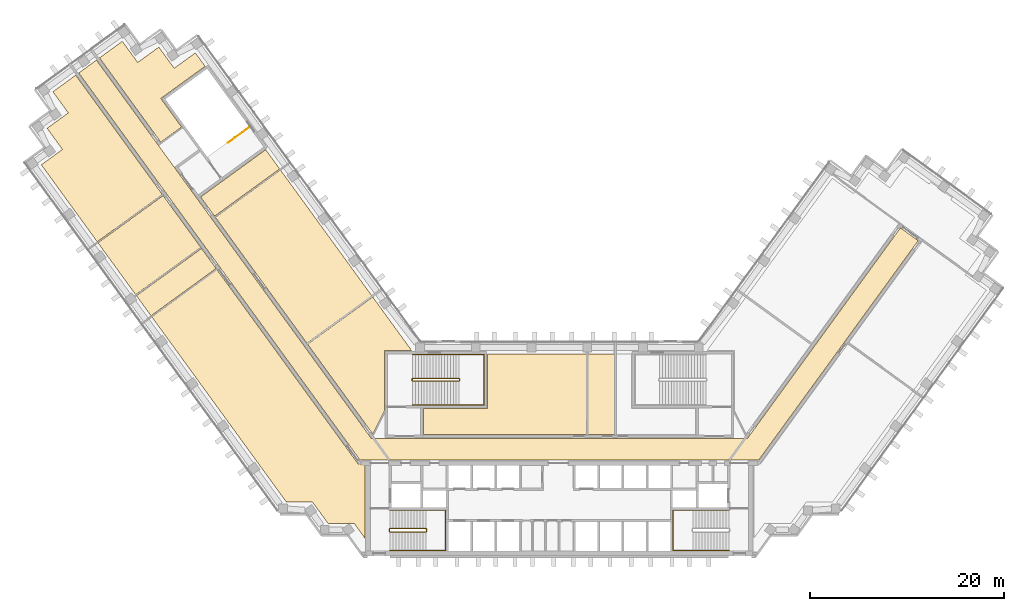
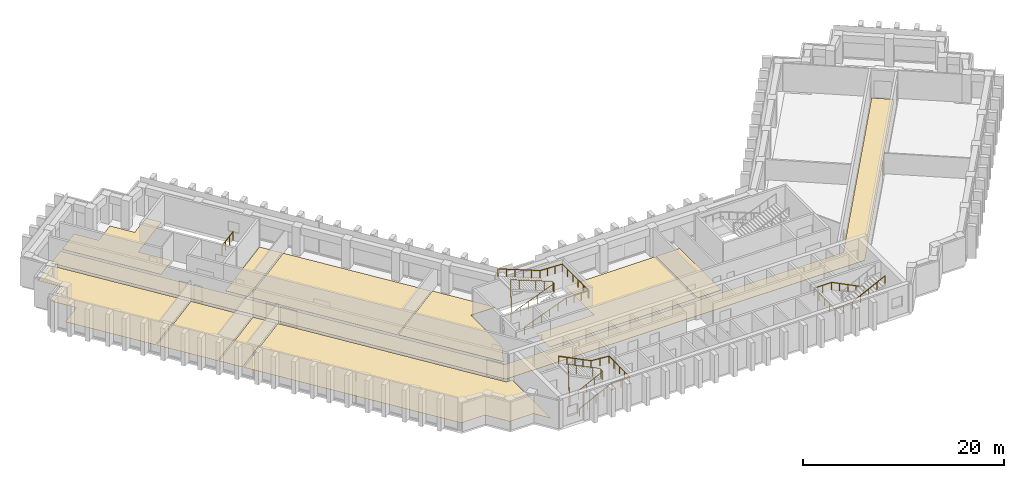
# One storey, part 10 of 11: 11 coverings, 6 railings.
"""IFC4 building model written with IfcOpenShell, lengths in metres."""

from ifc_helpers import new_model, si_unit, direction, frame, origin, origin_2d, place, context, subcontext, project, spatial, polyline, circle, outline, extrude, material, layer, layer_set, type_object, element, save


model = new_model("IFC4")

# Units and contexts
model_context = context("Model", 3, precision=1e-05, world=origin(), true_north=direction((0.0, 1.0)))
body_context = subcontext(model_context, "Body", "Model", "MODEL_VIEW")
ifc_project = project(units=[si_unit("LENGTHUNIT", "METRE"), si_unit("AREAUNIT", "SQUARE_METRE"), si_unit("VOLUMEUNIT", "CUBIC_METRE"), si_unit("PLANEANGLEUNIT", "RADIAN"), si_unit("MASSUNIT", "GRAM", prefix="KILO")], contexts=[model_context])

# Site, building, storey
site_placement = place(None, origin())
site = spatial("IfcSite", under=ifc_project, at=site_placement, CompositionType="ELEMENT")
building_placement = place(site_placement, origin())
building = spatial("IfcBuilding", under=site, at=building_placement, Name="Quipu Civic Tower", CompositionType="ELEMENT")
storey_placement = place(building_placement, frame((0.0, 0.0, 129.0)))
storey = spatial("IfcBuildingStorey", under=building, at=storey_placement, Name="L30", CompositionType="ELEMENT", Elevation=129.0)

# Coverings
ifc_material_1 = material(Name="Carpet tile on raised access floor")
ifc_layer_1 = layer(ifc_material_1, 0.02001953125)
ifc_layer_set_1 = layer_set([ifc_layer_1], Name="Carpet tile on raised access floor")
covering_type_1 = type_object("IfcCoveringType", Name="Carpet tile floor finish 20", PredefinedType="FLOORING", material=ifc_layer_set_1)
covering_1_placement = place(storey_placement, origin())
element("IfcCovering", 1, at=covering_1_placement, inside=storey, type_object=covering_type_1, Name="Carpet tile floor finish 20", PredefinedType="FLOORING", context=body_context, shape_type="SweptSolid", body=[
    extrude(outline(polyline([(-47.471923828125, 40.39794921875), (-45.116943359375, 42.10791015625), (-43.531982421875, 39.925048828125), (-41.346923828125, 41.510986328125), (-39.760009765625, 39.326904296875), (-37.574951171875, 40.9130859375), (-36.570068359375, 39.530029296875), (-41.139892578125, 36.208984375), (-38.998046875, 33.260009765625), (-41.15087890625, 31.697021484375), (-47.471923828125, 40.39794921875)])), origin(), (0.0, 0.0, 1.0), 0.02001953125),
])
covering_2_placement = place(storey_placement, origin())
element("IfcCovering", 2, at=covering_2_placement, inside=storey, type_object=covering_type_1, Name="Carpet tile floor finish 20", PredefinedType="FLOORING", context=body_context, shape_type="SweptSolid", body=[
    extrude(outline(polyline([(-53.47998046875, 29.35791015625), (-51.297119140625, 30.945068359375), (-52.883056640625, 33.12890625), (-50.698974609375, 34.717041015625), (-52.284912109375, 36.90087890625), (-49.930908203125, 38.611083984375), (-40.988037109375, 26.301025390625), (-47.7119140625, 21.41796875), (-53.47998046875, 29.35791015625)])), origin(), (0.0, 0.0, 1.0), 0.02001953125),
])
covering_3_placement = place(storey_placement, origin())
element("IfcCovering", 3, at=covering_3_placement, inside=storey, type_object=covering_type_1, Name="Carpet tile floor finish 20", PredefinedType="FLOORING", context=body_context, shape_type="SweptSolid", body=[
    extrude(outline(polyline([(-14.030029296875, 1.52001953125), (-14.030029296875, 4.179931640625), (-7.429931640625, 4.180908203125), (-7.429931640625, 9.830078125), (2.80908203125, 9.830078125), (2.80908203125, 1.52001953125), (-14.030029296875, 1.52001953125)])), origin(), (0.0, 0.0, 1.0), 0.02001953125),
])
covering_4_placement = place(storey_placement, origin())
element("IfcCovering", 4, at=covering_4_placement, inside=storey, type_object=covering_type_1, Name="Carpet tile floor finish 20", PredefinedType="FLOORING", context=body_context, shape_type="SweptSolid", body=[
    extrude(outline(polyline([(-47.62890625, 21.304931640625), (-40.905029296875, 26.18798828125), (-37.02099609375, 20.841064453125), (-43.743896484375, 15.95703125), (-47.62890625, 21.304931640625)])), origin(), (0.0, 0.0, 1.0), 0.02001953125),
])
covering_5_placement = place(storey_placement, origin())
element("IfcCovering", 5, at=covering_5_placement, inside=storey, type_object=covering_type_1, Name="Carpet tile floor finish 20", PredefinedType="FLOORING", context=body_context, shape_type="SweptSolid", body=[
    extrude(outline(polyline([(-35.512939453125, 23.93896484375), (-28.7900390625, 28.822021484375), (-19.35107421875, 15.8291015625), (-26.073974609375, 10.946044921875), (-35.512939453125, 23.93896484375)])), origin(), (0.0, 0.0, 1.0), 0.02001953125),
])
covering_6_placement = place(storey_placement, origin())
element("IfcCovering", 6, at=covering_6_placement, inside=storey, type_object=covering_type_1, Name="Carpet tile floor finish 20", PredefinedType="FLOORING", context=body_context, shape_type="SweptSolid", body=[
    extrude(outline(polyline([(-42.073974609375, 13.658935546875), (-35.35107421875, 18.54296875), (-20.77490234375, -1.51904296875), (-20.070068359375, -1.52001953125), (-20.070068359375, -9.195068359375), (-21.196044921875, -7.64599609375), (-21.6630859375, -7.64599609375), (-21.666015625, -7.64404296875), (-21.669921875, -7.64111328125), (-21.675048828125, -7.639892578125), (-21.679931640625, -7.637939453125), (-21.68408203125, -7.636962890625), (-21.68896484375, -7.636962890625), (-21.694091796875, -7.635986328125), (-21.698974609375, -7.636962890625), (-21.7041015625, -7.637939453125), (-21.708984375, -7.638916015625), (-21.712890625, -7.64111328125), (-21.718017578125, -7.64306640625), (-21.721923828125, -7.64599609375), (-21.721923828125, -7.64599609375), (-23.89501953125, -7.64599609375), (-25.48193359375, -5.4619140625), (-28.181884765625, -5.4609375), (-42.073974609375, 13.658935546875)])), origin(), (0.0, 0.0, 1.0), 0.02001953125),
])
ifc_material_2 = material(Name="Ceramic floor tile")
ifc_layer_2 = layer(ifc_material_2, 0.030029296875)
ifc_layer_set_2 = layer_set([ifc_layer_2], Name="Ceramic floor tile")
covering_type_2 = type_object("IfcCoveringType", Name="Ceramic tile floor finish 30", PredefinedType="FLOORING", material=ifc_layer_set_2)
covering_7_placement = place(storey_placement, origin())
element("IfcCovering", 7, at=covering_7_placement, inside=storey, type_object=covering_type_2, Name="Ceramic tile floor finish 30", PredefinedType="FLOORING", context=body_context, shape_type="SweptSolid", body=[
    extrude(outline(polyline([(-37.0380859375, 26.0380859375), (-30.31494140625, 30.922119140625), (-28.873046875, 28.93505859375), (-35.595947265625, 24.052001953125), (-37.0380859375, 26.0380859375)])), origin(), (0.0, 0.0, 1.0), 0.030029296875),
])
covering_8_placement = place(storey_placement, origin())
element("IfcCovering", 8, at=covering_8_placement, inside=storey, type_object=covering_type_2, Name="Ceramic tile floor finish 30", PredefinedType="FLOORING", context=body_context, shape_type="SweptSolid", body=[
    extrude(outline(polyline([(-43.660888671875, 15.843994140625), (-36.93798828125, 20.72802734375), (-35.43408203125, 18.656005859375), (-42.156982421875, 13.77197265625), (-43.660888671875, 15.843994140625)])), origin(), (0.0, 0.0, 1.0), 0.030029296875),
])
ifc_material_3 = material(Name="Sealed cement screed")
ifc_layer_3 = layer(ifc_material_3, 0.050048828125)
ifc_layer_set_3 = layer_set([ifc_layer_3], Name="Sealed cement screed")
covering_type_3 = type_object("IfcCoveringType", Name="Sealed screed floor finish 50", PredefinedType="FLOORING", material=ifc_layer_set_3)
covering_9_placement = place(storey_placement, origin())
element("IfcCovering", 9, at=covering_9_placement, inside=storey, type_object=covering_type_3, Name="Sealed screed floor finish 50", PredefinedType="FLOORING", context=body_context, shape_type="SweptSolid", body=[
    extrude(outline(polyline([(2.948974609375, 1.52001953125), (2.948974609375, 9.830078125), (5.68798828125, 9.830078125), (5.68798828125, 1.52001953125), (2.948974609375, 1.52001953125)])), origin(), (0.0, 0.0, 1.0), 0.050048828125),
])
covering_10_placement = place(storey_placement, origin())
element("IfcCovering", 10, at=covering_10_placement, inside=storey, type_object=covering_type_3, Name="Sealed screed floor finish 50", PredefinedType="FLOORING", context=body_context, shape_type="SweptSolid", body=[
    extrude(outline(polyline([(-25.990966796875, 10.8330078125), (-19.26806640625, 15.716064453125), (-15.238037109375, 10.169921875), (-18.070068359375, 10.1689453125), (-18.070068359375, 3.94189453125), (-19.27197265625, 1.583984375), (-25.990966796875, 10.8330078125)])), origin(), (0.0, 0.0, 1.0), 0.050048828125),
])

# Railings
ifc_material_4 = material(Name="Stainless steel", Category="steel")
railing_type_1 = type_object("IfcRailingType", Name="Stair guard 1100", PredefinedType="GUARDRAIL", material=ifc_material_4)
railing_1_placement = place(storey_placement, frame((-17.5, -8.550048828125, 0.15380859375)))
element("IfcRailing", 11, at=railing_1_placement, inside=storey, type_object=railing_type_1, Name="Stair 1 guard", PredefinedType="GUARDRAIL", context=body_context, shape_type="SweptSolid", body=[
    extrude(circle(Radius=0.02392578125, at=origin_2d()), frame((0.0, 0.0, 1.076171875), z_axis=(0.895751851347, 0.0, 0.444554407028), x_axis=(0.0, 1.0, 0.0)), (0.0, 0.0, 1.0), 4.15283203125),
    extrude(circle(Radius=0.02392578125, at=origin_2d()), frame((3.719970703125, 0.0, 2.92236328125), z_axis=(0.707106781187, 0.707106781187, 0.0), x_axis=(-0.707106781187, 0.707106781187, 0.0)), (0.0, 0.0, 1.0), 0.07080078125),
    extrude(circle(Radius=0.02392578125, at=origin_2d()), frame((3.77001953125, 0.050048828125, 2.92236328125), z_axis=(0.0, 1.0, 0.0), x_axis=(-1.0, 0.0, 0.0)), (0.0, 0.0, 1.0), 0.25),
    extrude(circle(Radius=0.02392578125, at=origin_2d()), frame((3.77001953125, 0.300048828125, 2.92236328125), z_axis=(-0.295599637079, 0.295599637079, 0.908428152975), x_axis=(-0.707106781187, -0.707106781187, 0.0)), (0.0, 0.0, 1.0), 0.16943359375),
    extrude(circle(Radius=0.02392578125, at=origin_2d()), frame((3.719970703125, 0.35009765625, 3.076171875), z_axis=(-0.895751851347, 0.0, 0.444554407028), x_axis=(0.0, -1.0, 0.0)), (0.0, 0.0, 1.0), 4.15283203125),
    extrude(circle(Radius=0.02392578125, at=origin_2d()), frame((0.0, 0.35009765625, 4.92236328125), z_axis=(-0.012476181752, -0.074796231092, -0.997120789425), x_axis=(0.986372223864, -0.164529134168, 0.0)), (0.0, 0.0, 1.0), 4.011474609375),
    extrude(circle(Radius=0.02392578125, at=origin_2d()), frame((-0.050048828125, 0.050048828125, 0.92236328125), z_axis=(0.0, 1.0, 0.0), x_axis=(-1.0, 0.0, 0.0)), (0.0, 0.0, 1.0), 0.25),
    extrude(circle(Radius=0.02099609375, at=origin_2d()), origin(), (0.0, 0.0, 1.0), 1.052001953125),
    extrude(circle(Radius=0.02099609375, at=origin_2d()), frame((0.929931640625, 0.0, 0.46142578125)), (0.0, 0.0, 1.0), 1.052001953125),
    extrude(circle(Radius=0.02099609375, at=origin_2d()), frame((1.85986328125, 0.0, 0.923095703125)), (0.0, 0.0, 1.0), 1.052001953125),
    extrude(circle(Radius=0.02099609375, at=origin_2d()), frame((2.7900390625, 0.0, 1.384765625)), (0.0, 0.0, 1.0), 1.052001953125),
    extrude(circle(Radius=0.02099609375, at=origin_2d()), frame((3.719970703125, 0.0, 1.84619140625)), (0.0, 0.0, 1.0), 1.052001953125),
    extrude(circle(Radius=0.02099609375, at=origin_2d()), frame((3.77001953125, 0.050048828125, 1.84619140625)), (0.0, 0.0, 1.0), 1.052001953125),
    extrude(circle(Radius=0.02099609375, at=origin_2d()), frame((3.77001953125, 0.300048828125, 1.84619140625)), (0.0, 0.0, 1.0), 1.052001953125),
    extrude(circle(Radius=0.02099609375, at=origin_2d()), frame((3.719970703125, 0.35009765625, 2.0)), (0.0, 0.0, 1.0), 1.052001953125),
    extrude(circle(Radius=0.02099609375, at=origin_2d()), frame((2.7900390625, 0.35009765625, 2.46142578125)), (0.0, 0.0, 1.0), 1.052001953125),
    extrude(circle(Radius=0.02099609375, at=origin_2d()), frame((1.85986328125, 0.35009765625, 2.923095703125)), (0.0, 0.0, 1.0), 1.052001953125),
    extrude(circle(Radius=0.02099609375, at=origin_2d()), frame((0.929931640625, 0.35009765625, 3.384765625)), (0.0, 0.0, 1.0), 1.052001953125),
    extrude(circle(Radius=0.02099609375, at=origin_2d()), frame((0.0, 0.35009765625, 3.84619140625)), (0.0, 0.0, 1.0), 1.052001953125),
    extrude(circle(Radius=0.02099609375, at=origin_2d()), frame((-0.012451171875, 0.275146484375, 2.84619140625)), (0.0, 0.0, 1.0), 1.052001953125),
    extrude(circle(Radius=0.02099609375, at=origin_2d()), frame((-0.02490234375, 0.2001953125, 1.84619140625)), (0.0, 0.0, 1.0), 1.052001953125),
    extrude(circle(Radius=0.02099609375, at=origin_2d()), frame((-0.03759765625, 0.125, 0.84619140625)), (0.0, 0.0, 1.0), 1.052001953125),
    extrude(circle(Radius=0.02099609375, at=origin_2d()), frame((-0.050048828125, 0.050048828125, -0.15380859375)), (0.0, 0.0, 1.0), 1.052001953125),
    extrude(circle(Radius=0.02099609375, at=origin_2d()), frame((-0.050048828125, 0.300048828125, -0.15380859375)), (0.0, 0.0, 1.0), 1.052001953125),
])
railing_2_placement = place(storey_placement, frame((-15.14990234375, 7.050048828125, 0.11767578125)))
element("IfcRailing", 12, at=railing_2_placement, inside=storey, type_object=railing_type_1, Name="Stair 3 guard", PredefinedType="GUARDRAIL", context=body_context, shape_type="SweptSolid", body=[
    extrude(circle(Radius=0.02392578125, at=origin_2d()), frame((0.0, 0.0, 1.076171875), z_axis=(0.930970042603, 0.0, 0.365095576219), x_axis=(0.0, 1.0, 0.0)), (0.0, 0.0, 1.0), 5.15576171875),
    extrude(circle(Radius=0.02392578125, at=origin_2d()), frame((4.7998046875, 0.0, 2.95849609375), z_axis=(0.707106781187, 0.707106781187, 0.0), x_axis=(-0.707106781187, 0.707106781187, 0.0)), (0.0, 0.0, 1.0), 0.07080078125),
    extrude(circle(Radius=0.02392578125, at=origin_2d()), frame((4.849853515625, 0.050048828125, 2.95849609375), z_axis=(0.0, 1.0, 0.0), x_axis=(-1.0, 0.0, 0.0)), (0.0, 0.0, 1.0), 0.14990234375),
    extrude(circle(Radius=0.02392578125, at=origin_2d()), frame((4.849853515625, 0.199951171875, 2.95849609375), z_axis=(-0.364463019033, 0.364463019033, 0.856932561824), x_axis=(-0.707106781187, -0.707106781187, 0.0)), (0.0, 0.0, 1.0), 0.13720703125),
    extrude(circle(Radius=0.02392578125, at=origin_2d()), frame((4.7998046875, 0.25, 3.076171875), z_axis=(-0.930970042603, 0.0, 0.365095576219), x_axis=(0.0, -1.0, 0.0)), (0.0, 0.0, 1.0), 5.15576171875),
    extrude(circle(Radius=0.02392578125, at=origin_2d()), frame((0.0, 0.25, 4.95849609375), z_axis=(-0.012495627992, -0.049921557685, -0.998674970829), x_axis=(0.970072785993, -0.242814311512, 0.0)), (0.0, 0.0, 1.0), 4.00537109375),
    extrude(circle(Radius=0.02392578125, at=origin_2d()), frame((-0.050048828125, 0.050048828125, 0.95849609375), z_axis=(0.0, 1.0, 0.0), x_axis=(-1.0, 0.0, 0.0)), (0.0, 0.0, 1.0), 0.14990234375),
    extrude(circle(Radius=0.02099609375, at=origin_2d()), origin(), (0.0, 0.0, 1.0), 1.052001953125),
    extrude(circle(Radius=0.02099609375, at=origin_2d()), frame((0.9599609375, 0.0, 0.37646484375)), (0.0, 0.0, 1.0), 1.052001953125),
    extrude(circle(Radius=0.02099609375, at=origin_2d()), frame((1.919921875, 0.0, 0.7529296875)), (0.0, 0.0, 1.0), 1.052001953125),
    extrude(circle(Radius=0.02099609375, at=origin_2d()), frame((2.8798828125, 0.0, 1.12939453125)), (0.0, 0.0, 1.0), 1.052001953125),
    extrude(circle(Radius=0.02099609375, at=origin_2d()), frame((3.83984375, 0.0, 1.505859375)), (0.0, 0.0, 1.0), 1.052001953125),
    extrude(circle(Radius=0.02099609375, at=origin_2d()), frame((4.7998046875, 0.0, 1.88232421875)), (0.0, 0.0, 1.0), 1.052001953125),
    extrude(circle(Radius=0.02099609375, at=origin_2d()), frame((4.849853515625, 0.050048828125, 1.88232421875)), (0.0, 0.0, 1.0), 1.052001953125),
    extrude(circle(Radius=0.02099609375, at=origin_2d()), frame((4.849853515625, 0.199951171875, 1.88232421875)), (0.0, 0.0, 1.0), 1.052001953125),
    extrude(circle(Radius=0.02099609375, at=origin_2d()), frame((4.7998046875, 0.25, 2.0)), (0.0, 0.0, 1.0), 1.052001953125),
    extrude(circle(Radius=0.02099609375, at=origin_2d()), frame((3.83984375, 0.25, 2.37646484375)), (0.0, 0.0, 1.0), 1.052001953125),
    extrude(circle(Radius=0.02099609375, at=origin_2d()), frame((2.8798828125, 0.25, 2.7529296875)), (0.0, 0.0, 1.0), 1.052001953125),
    extrude(circle(Radius=0.02099609375, at=origin_2d()), frame((1.919921875, 0.25, 3.12939453125)), (0.0, 0.0, 1.0), 1.052001953125),
    extrude(circle(Radius=0.02099609375, at=origin_2d()), frame((0.9599609375, 0.25, 3.505859375)), (0.0, 0.0, 1.0), 1.052001953125),
    extrude(circle(Radius=0.02099609375, at=origin_2d()), frame((0.0, 0.25, 3.88232421875)), (0.0, 0.0, 1.0), 1.052001953125),
    extrude(circle(Radius=0.02099609375, at=origin_2d()), frame((-0.012451171875, 0.199951171875, 2.88232421875)), (0.0, 0.0, 1.0), 1.052001953125),
    extrude(circle(Radius=0.02099609375, at=origin_2d()), frame((-0.02490234375, 0.14990234375, 1.88232421875)), (0.0, 0.0, 1.0), 1.052001953125),
    extrude(circle(Radius=0.02099609375, at=origin_2d()), frame((-0.03759765625, 0.10009765625, 0.88232421875)), (0.0, 0.0, 1.0), 1.052001953125),
    extrude(circle(Radius=0.02099609375, at=origin_2d()), frame((-0.050048828125, 0.050048828125, -0.11767578125)), (0.0, 0.0, 1.0), 1.052001953125),
    extrude(circle(Radius=0.02099609375, at=origin_2d()), frame((-0.050048828125, 0.199951171875, -0.11767578125)), (0.0, 0.0, 1.0), 1.052001953125),
])
railing_3_placement = place(storey_placement, frame((-31.986572265625, 33.255859375, 0.0)))
element("IfcRailing", 13, at=railing_3_placement, inside=storey, type_object=railing_type_1, Name="Stair 6 top guard", PredefinedType="GUARDRAIL", context=body_context, shape_type="SweptSolid", body=[
    extrude(circle(Radius=0.02392578125, at=origin_2d()), frame((0.0, 0.0, 1.076171875), z_axis=(-0.808985562143, -0.587828512615, 0.0), x_axis=(0.587828512615, -0.808985562143, 0.0)), (0.0, 0.0, 1.0), 2.749755859375),
    extrude(circle(Radius=0.02099609375, at=origin_2d()), origin(), (0.0, 0.0, 1.0), 1.052001953125),
    extrude(circle(Radius=0.02099609375, at=origin_2d()), frame((-0.741455078125, -0.538818359375, 0.0)), (0.0, 0.0, 1.0), 1.052001953125),
    extrude(circle(Radius=0.02099609375, at=origin_2d()), frame((-1.483154296875, -1.07763671875, 0.0)), (0.0, 0.0, 1.0), 1.052001953125),
    extrude(circle(Radius=0.02099609375, at=origin_2d()), frame((-2.224609375, -1.616455078125, 0.0)), (0.0, 0.0, 1.0), 1.052001953125),
])
ifc_material_5 = material(Name="Stainless steel", Category="steel")
railing_type_2 = type_object("IfcRailingType", Name="Stair handrail", PredefinedType="HANDRAIL", material=ifc_material_5)
railing_4_placement = place(storey_placement, frame((-17.5, -10.449951171875, 0.15380859375)))
element("IfcRailing", 14, at=railing_4_placement, inside=storey, type_object=railing_type_2, Name="Stair 1 handrail", PredefinedType="HANDRAIL", context=body_context, shape_type="SweptSolid", body=[
    extrude(circle(Radius=0.02392578125, at=origin_2d()), frame((0.0, 0.0, 0.8759765625), z_axis=(0.895751851347, 0.0, 0.444554407028), x_axis=(0.0, 1.0, 0.0)), (0.0, 0.0, 1.0), 4.15283203125),
    extrude(circle(Radius=0.02392578125, at=origin_2d()), frame((3.719970703125, 0.0, 2.72216796875), z_axis=(1.0, 0.0, 0.0), x_axis=(0.0, 1.0, 0.0)), (0.0, 0.0, 1.0), 2.030029296875),
    extrude(circle(Radius=0.02392578125, at=origin_2d()), frame((5.75, 0.0, 2.72216796875), z_axis=(0.0, 1.0, 0.0), x_axis=(-1.0, 0.0, 0.0)), (0.0, 0.0, 1.0), 4.14990234375),
    extrude(circle(Radius=0.02392578125, at=origin_2d()), frame((5.75, 4.14990234375, 2.72216796875), z_axis=(-0.997142003663, 0.0, 0.075550145798), x_axis=(0.0, -1.0, 0.0)), (0.0, 0.0, 1.0), 2.035888671875),
    extrude(circle(Radius=0.02392578125, at=origin_2d()), frame((3.719970703125, 4.14990234375, 2.8759765625), z_axis=(-0.895751851347, 0.0, 0.444554407028), x_axis=(0.0, -1.0, 0.0)), (0.0, 0.0, 1.0), 4.15283203125),
    extrude(circle(Radius=0.02099609375, at=origin_2d()), origin(), (0.0, 0.0, 1.0), 0.851806640625),
    extrude(circle(Radius=0.02099609375, at=origin_2d()), frame((0.929931640625, 0.0, 0.46142578125)), (0.0, 0.0, 1.0), 0.851806640625),
    extrude(circle(Radius=0.02099609375, at=origin_2d()), frame((1.85986328125, 0.0, 0.923095703125)), (0.0, 0.0, 1.0), 0.851806640625),
    extrude(circle(Radius=0.02099609375, at=origin_2d()), frame((2.7900390625, 0.0, 1.384765625)), (0.0, 0.0, 1.0), 0.851806640625),
    extrude(circle(Radius=0.02099609375, at=origin_2d()), frame((3.719970703125, 0.0, 1.84619140625)), (0.0, 0.0, 1.0), 0.851806640625),
    extrude(circle(Radius=0.02099609375, at=origin_2d()), frame((4.73486328125, 0.0, 1.84619140625)), (0.0, 0.0, 1.0), 0.851806640625),
    extrude(circle(Radius=0.02099609375, at=origin_2d()), frame((5.75, 0.0, 1.84619140625)), (0.0, 0.0, 1.0), 0.851806640625),
    extrude(circle(Radius=0.02099609375, at=origin_2d()), frame((5.75, 1.03759765625, 1.84619140625)), (0.0, 0.0, 1.0), 0.851806640625),
    extrude(circle(Radius=0.02099609375, at=origin_2d()), frame((5.75, 2.074951171875, 1.84619140625)), (0.0, 0.0, 1.0), 0.851806640625),
    extrude(circle(Radius=0.02099609375, at=origin_2d()), frame((5.75, 3.1123046875, 1.84619140625)), (0.0, 0.0, 1.0), 0.851806640625),
    extrude(circle(Radius=0.02099609375, at=origin_2d()), frame((5.75, 4.14990234375, 1.84619140625)), (0.0, 0.0, 1.0), 0.851806640625),
    extrude(circle(Radius=0.02099609375, at=origin_2d()), frame((4.73486328125, 4.14990234375, 1.923095703125)), (0.0, 0.0, 1.0), 0.851806640625),
    extrude(circle(Radius=0.02099609375, at=origin_2d()), frame((3.719970703125, 4.14990234375, 2.0)), (0.0, 0.0, 1.0), 0.851806640625),
    extrude(circle(Radius=0.02099609375, at=origin_2d()), frame((2.7900390625, 4.14990234375, 2.46142578125)), (0.0, 0.0, 1.0), 0.851806640625),
    extrude(circle(Radius=0.02099609375, at=origin_2d()), frame((1.85986328125, 4.14990234375, 2.923095703125)), (0.0, 0.0, 1.0), 0.851806640625),
    extrude(circle(Radius=0.02099609375, at=origin_2d()), frame((0.929931640625, 4.14990234375, 3.384765625)), (0.0, 0.0, 1.0), 0.851806640625),
    extrude(circle(Radius=0.02099609375, at=origin_2d()), frame((0.0, 4.14990234375, 3.84619140625)), (0.0, 0.0, 1.0), 0.851806640625),
])
railing_5_placement = place(storey_placement, frame((17.5, -6.300048828125, 0.15380859375)))
element("IfcRailing", 15, at=railing_5_placement, inside=storey, type_object=railing_type_2, Name="Stair 2 handrail", PredefinedType="HANDRAIL", context=body_context, shape_type="SweptSolid", body=[
    extrude(circle(Radius=0.02392578125, at=origin_2d()), frame((0.0, 0.0, 0.8759765625), z_axis=(-0.895751851347, 0.0, 0.444554407028), x_axis=(0.0, -1.0, 0.0)), (0.0, 0.0, 1.0), 4.15283203125),
    extrude(circle(Radius=0.02392578125, at=origin_2d()), frame((-3.719970703125, 0.0, 2.72216796875), z_axis=(-1.0, 0.0, 0.0), x_axis=(0.0, -1.0, 0.0)), (0.0, 0.0, 1.0), 2.030029296875),
    extrude(circle(Radius=0.02392578125, at=origin_2d()), frame((-5.75, 0.0, 2.72216796875), z_axis=(0.0, -1.0, 0.0), x_axis=(1.0, 0.0, 0.0)), (0.0, 0.0, 1.0), 4.14990234375),
    extrude(circle(Radius=0.02392578125, at=origin_2d()), frame((-5.75, -4.14990234375, 2.72216796875), z_axis=(0.997142003663, 0.0, 0.075550145798), x_axis=(0.0, 1.0, 0.0)), (0.0, 0.0, 1.0), 2.035888671875),
    extrude(circle(Radius=0.02392578125, at=origin_2d()), frame((-3.719970703125, -4.14990234375, 2.8759765625), z_axis=(0.895751851347, 0.0, 0.444554407028), x_axis=(0.0, 1.0, 0.0)), (0.0, 0.0, 1.0), 4.15283203125),
    extrude(circle(Radius=0.02099609375, at=origin_2d()), origin(), (0.0, 0.0, 1.0), 0.851806640625),
    extrude(circle(Radius=0.02099609375, at=origin_2d()), frame((-0.929931640625, 0.0, 0.46142578125)), (0.0, 0.0, 1.0), 0.851806640625),
    extrude(circle(Radius=0.02099609375, at=origin_2d()), frame((-1.85986328125, 0.0, 0.923095703125)), (0.0, 0.0, 1.0), 0.851806640625),
    extrude(circle(Radius=0.02099609375, at=origin_2d()), frame((-2.7900390625, 0.0, 1.384765625)), (0.0, 0.0, 1.0), 0.851806640625),
    extrude(circle(Radius=0.02099609375, at=origin_2d()), frame((-3.719970703125, 0.0, 1.84619140625)), (0.0, 0.0, 1.0), 0.851806640625),
    extrude(circle(Radius=0.02099609375, at=origin_2d()), frame((-4.73486328125, 0.0, 1.84619140625)), (0.0, 0.0, 1.0), 0.851806640625),
    extrude(circle(Radius=0.02099609375, at=origin_2d()), frame((-5.75, 0.0, 1.84619140625)), (0.0, 0.0, 1.0), 0.851806640625),
    extrude(circle(Radius=0.02099609375, at=origin_2d()), frame((-5.75, -1.03759765625, 1.84619140625)), (0.0, 0.0, 1.0), 0.851806640625),
    extrude(circle(Radius=0.02099609375, at=origin_2d()), frame((-5.75, -2.074951171875, 1.84619140625)), (0.0, 0.0, 1.0), 0.851806640625),
    extrude(circle(Radius=0.02099609375, at=origin_2d()), frame((-5.75, -3.1123046875, 1.84619140625)), (0.0, 0.0, 1.0), 0.851806640625),
    extrude(circle(Radius=0.02099609375, at=origin_2d()), frame((-5.75, -4.14990234375, 1.84619140625)), (0.0, 0.0, 1.0), 0.851806640625),
    extrude(circle(Radius=0.02099609375, at=origin_2d()), frame((-4.73486328125, -4.14990234375, 1.923095703125)), (0.0, 0.0, 1.0), 0.851806640625),
    extrude(circle(Radius=0.02099609375, at=origin_2d()), frame((-3.719970703125, -4.14990234375, 2.0)), (0.0, 0.0, 1.0), 0.851806640625),
    extrude(circle(Radius=0.02099609375, at=origin_2d()), frame((-2.7900390625, -4.14990234375, 2.46142578125)), (0.0, 0.0, 1.0), 0.851806640625),
    extrude(circle(Radius=0.02099609375, at=origin_2d()), frame((-1.85986328125, -4.14990234375, 2.923095703125)), (0.0, 0.0, 1.0), 0.851806640625),
    extrude(circle(Radius=0.02099609375, at=origin_2d()), frame((-0.929931640625, -4.14990234375, 3.384765625)), (0.0, 0.0, 1.0), 0.851806640625),
    extrude(circle(Radius=0.02099609375, at=origin_2d()), frame((0.0, -4.14990234375, 3.84619140625)), (0.0, 0.0, 1.0), 0.851806640625),
])
railing_6_placement = place(storey_placement, frame((-15.14990234375, 4.550048828125, 0.11767578125)))
element("IfcRailing", 16, at=railing_6_placement, inside=storey, type_object=railing_type_2, Name="Stair 3 handrail", PredefinedType="HANDRAIL", context=body_context, shape_type="SweptSolid", body=[
    extrude(circle(Radius=0.02392578125, at=origin_2d()), frame((0.0, 0.0, 0.8759765625), z_axis=(0.930970042603, 0.0, 0.365095576219), x_axis=(0.0, 1.0, 0.0)), (0.0, 0.0, 1.0), 5.15576171875),
    extrude(circle(Radius=0.02392578125, at=origin_2d()), frame((4.7998046875, 0.0, 2.75830078125), z_axis=(1.0, 0.0, 0.0), x_axis=(0.0, 1.0, 0.0)), (0.0, 0.0, 1.0), 2.550048828125),
    extrude(circle(Radius=0.02392578125, at=origin_2d()), frame((7.349853515625, 0.0, 2.75830078125), z_axis=(0.0, 1.0, 0.0), x_axis=(-1.0, 0.0, 0.0)), (0.0, 0.0, 1.0), 5.25),
    extrude(circle(Radius=0.02392578125, at=origin_2d()), frame((7.349853515625, 5.25, 2.75830078125), z_axis=(-0.998936948642, 0.0, 0.04609742549), x_axis=(0.0, -1.0, 0.0)), (0.0, 0.0, 1.0), 2.552734375),
    extrude(circle(Radius=0.02392578125, at=origin_2d()), frame((4.7998046875, 5.25, 2.8759765625), z_axis=(-0.930970042603, 0.0, 0.365095576219), x_axis=(0.0, -1.0, 0.0)), (0.0, 0.0, 1.0), 5.15576171875),
    extrude(circle(Radius=0.02099609375, at=origin_2d()), origin(), (0.0, 0.0, 1.0), 0.851806640625),
    extrude(circle(Radius=0.02099609375, at=origin_2d()), frame((0.9599609375, 0.0, 0.37646484375)), (0.0, 0.0, 1.0), 0.851806640625),
    extrude(circle(Radius=0.02099609375, at=origin_2d()), frame((1.919921875, 0.0, 0.7529296875)), (0.0, 0.0, 1.0), 0.851806640625),
    extrude(circle(Radius=0.02099609375, at=origin_2d()), frame((2.8798828125, 0.0, 1.12939453125)), (0.0, 0.0, 1.0), 0.851806640625),
    extrude(circle(Radius=0.02099609375, at=origin_2d()), frame((3.83984375, 0.0, 1.505859375)), (0.0, 0.0, 1.0), 0.851806640625),
    extrude(circle(Radius=0.02099609375, at=origin_2d()), frame((4.7998046875, 0.0, 1.88232421875)), (0.0, 0.0, 1.0), 0.851806640625),
    extrude(circle(Radius=0.02099609375, at=origin_2d()), frame((5.64990234375, 0.0, 1.88232421875)), (0.0, 0.0, 1.0), 0.851806640625),
    extrude(circle(Radius=0.02099609375, at=origin_2d()), frame((6.499755859375, 0.0, 1.88232421875)), (0.0, 0.0, 1.0), 0.851806640625),
    extrude(circle(Radius=0.02099609375, at=origin_2d()), frame((7.349853515625, 0.0, 1.88232421875)), (0.0, 0.0, 1.0), 0.851806640625),
    extrude(circle(Radius=0.02099609375, at=origin_2d()), frame((7.349853515625, 1.050048828125, 1.88232421875)), (0.0, 0.0, 1.0), 0.851806640625),
    extrude(circle(Radius=0.02099609375, at=origin_2d()), frame((7.349853515625, 2.10009765625, 1.88232421875)), (0.0, 0.0, 1.0), 0.851806640625),
    extrude(circle(Radius=0.02099609375, at=origin_2d()), frame((7.349853515625, 3.14990234375, 1.88232421875)), (0.0, 0.0, 1.0), 0.851806640625),
    extrude(circle(Radius=0.02099609375, at=origin_2d()), frame((7.349853515625, 4.199951171875, 1.88232421875)), (0.0, 0.0, 1.0), 0.851806640625),
    extrude(circle(Radius=0.02099609375, at=origin_2d()), frame((7.349853515625, 5.25, 1.88232421875)), (0.0, 0.0, 1.0), 0.851806640625),
    extrude(circle(Radius=0.02099609375, at=origin_2d()), frame((6.499755859375, 5.25, 1.921630859375)), (0.0, 0.0, 1.0), 0.851806640625),
    extrude(circle(Radius=0.02099609375, at=origin_2d()), frame((5.64990234375, 5.25, 1.960693359375)), (0.0, 0.0, 1.0), 0.851806640625),
    extrude(circle(Radius=0.02099609375, at=origin_2d()), frame((4.7998046875, 5.25, 2.0)), (0.0, 0.0, 1.0), 0.851806640625),
    extrude(circle(Radius=0.02099609375, at=origin_2d()), frame((3.83984375, 5.25, 2.37646484375)), (0.0, 0.0, 1.0), 0.851806640625),
    extrude(circle(Radius=0.02099609375, at=origin_2d()), frame((2.8798828125, 5.25, 2.7529296875)), (0.0, 0.0, 1.0), 0.851806640625),
    extrude(circle(Radius=0.02099609375, at=origin_2d()), frame((1.919921875, 5.25, 3.12939453125)), (0.0, 0.0, 1.0), 0.851806640625),
    extrude(circle(Radius=0.02099609375, at=origin_2d()), frame((0.9599609375, 5.25, 3.505859375)), (0.0, 0.0, 1.0), 0.851806640625),
    extrude(circle(Radius=0.02099609375, at=origin_2d()), frame((0.0, 5.25, 3.88232421875)), (0.0, 0.0, 1.0), 0.851806640625),
])

# Covering
ifc_material_6 = material(Name="Terrazzo floor finish")
ifc_layer_4 = layer(ifc_material_6, 0.0400390625)
ifc_layer_set_4 = layer_set([ifc_layer_4], Name="Terrazzo floor finish")
covering_type_4 = type_object("IfcCoveringType", Name="Terrazzo floor finish 40", PredefinedType="FLOORING", material=ifc_layer_set_4)
covering_11_placement = place(storey_placement, origin())
element("IfcCovering", 17, at=covering_11_placement, inside=storey, type_object=covering_type_4, Name="Terrazzo floor finish 40", PredefinedType="FLOORING", context=body_context, shape_type="SweptSolid", body=[
    extrude(outline(polyline([(20.574951171875, -1.1298828125), (-20.574951171875, -1.1298828125), (-49.615966796875, 38.840087890625), (-47.787109375, 40.16796875), (-19.425048828125, 1.1298828125), (19.425048828125, 1.1298828125), (35.208984375, 22.85498046875), (37.037109375, 21.527099609375), (20.574951171875, -1.1298828125)])), origin(), (0.0, 0.0, 1.0), 0.0400390625),
])

save(model, "model.ifc")
